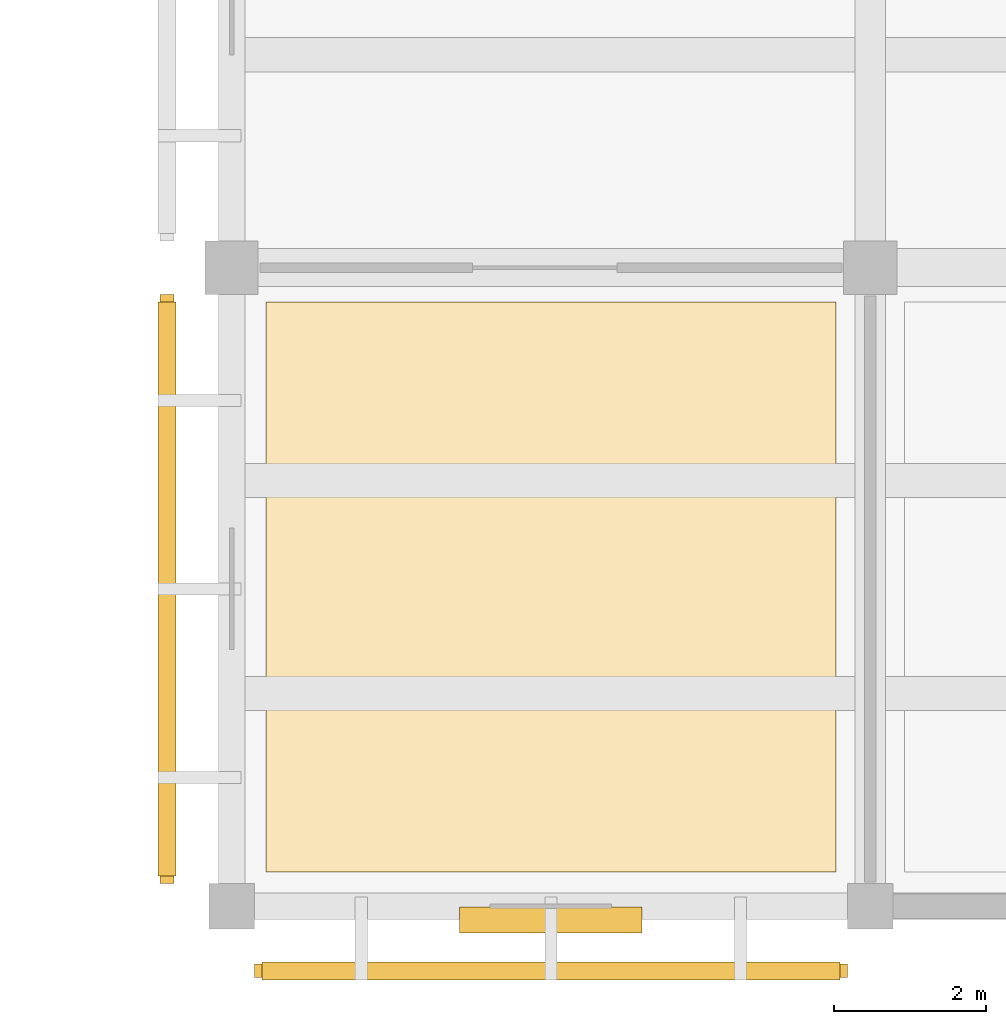
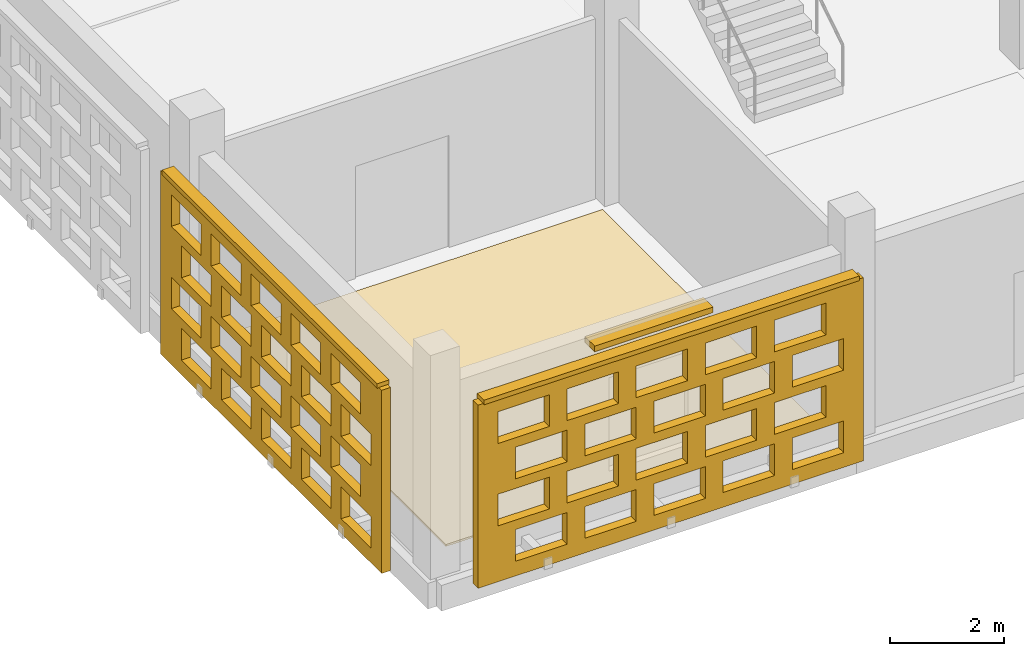
# One storey, part 80 of 129: 3 coverings, 3 shading devices, 40 openings.
"""IFC4 building model written with IfcOpenShell, lengths in metres."""

from ifc_helpers import new_model, si_unit, direction, frame, frame_2d, origin, origin_2d, place, context, subcontext, project, spatial, rectangle, extrude, material, layer, layer_set, type_object, element, save


model = new_model("IFC4")

# Units and contexts
model_context = context("Model", 3, precision=1e-05, world=origin(), true_north=direction((0.0, 1.0)))
body_context = subcontext(model_context, "Body", "Model", "MODEL_VIEW")
ifc_project = project(units=[si_unit("LENGTHUNIT", "METRE"), si_unit("AREAUNIT", "SQUARE_METRE"), si_unit("VOLUMEUNIT", "CUBIC_METRE"), si_unit("PLANEANGLEUNIT", "RADIAN"), si_unit("MASSUNIT", "GRAM", prefix="KILO")], contexts=[model_context])

# Site, building, storey
site_placement = place(None, origin())
site = spatial("IfcSite", under=ifc_project, at=site_placement, CompositionType="ELEMENT")
building_placement = place(site_placement, origin())
building = spatial("IfcBuilding", under=site, at=building_placement, Name="Varnapada Polytechnic", CompositionType="ELEMENT")
storey_placement = place(building_placement, origin())
storey = spatial("IfcBuildingStorey", under=building, at=storey_placement, Name="L00", CompositionType="ELEMENT", Elevation=0.0)

# Covering
ifc_material_1 = material(Name="Acoustic Rubber Seminar Flooring")
ifc_layer_1 = layer(ifc_material_1, 0.0400390625)
ifc_layer_set_1 = layer_set([ifc_layer_1], Name="Acoustic Rubber Seminar Flooring")
covering_type_1 = type_object("IfcCoveringType", Name="Floor Finish FLR-06", PredefinedType="FLOORING", material=ifc_layer_set_1)
covering_1_placement = place(storey_placement, frame((12.60009765625, 4.199951171875, 0.0), z_axis=(0.0, 0.0, 1.0), x_axis=(1.0, 0.0, 0.0)))
element("IfcCovering", 1, at=covering_1_placement, inside=storey, type_object=covering_type_1, Name="L00 floor finish panel (2,1)", PredefinedType="FLOORING", context=body_context, shape_type="SweptSolid", body=[
    extrude(rectangle(XDim=7.5, YDim=7.5, at=origin_2d()), origin(), (0.0, 0.0, 1.0), 0.0400390625),
])

# Shading device
ifc_material_2 = material(Name="Anodised aluminium", Category="aluminium")
ifc_layer_2 = layer(ifc_material_2, 0.35009765625)
ifc_layer_set_2 = layer_set([ifc_layer_2], Name="Anodised aluminium")
shading_device_type_1 = type_object("IfcShadingDeviceType", Name="Solar Louvre LVR-01", PredefinedType="JALOUSIE", material=ifc_layer_set_2)
shading_device_1_placement = place(storey_placement, frame((12.60009765625, -0.179931640625, 3.760009765625), z_axis=(0.0, 0.0, 1.0), x_axis=(-1.0, 0.0, 0.0)))
element("IfcShadingDevice", 2, at=shading_device_1_placement, inside=storey, type_object=shading_device_type_1, Name="L00 aluminium sun louvre 13", PredefinedType="JALOUSIE", context=body_context, shape_type="SweptSolid", body=[
    extrude(rectangle(XDim=2.39990234375, YDim=0.340087890625, at=origin_2d()), origin(), (0.0, 0.0, 1.0), 0.1201171875),
])

# Covering, openings
ifc_material_3 = material(Name="Earth-toned architectural terracotta screen block", Category="masonry")
ifc_layer_3 = layer(ifc_material_3, 0.1201171875)
ifc_layer_set_3 = layer_set([ifc_layer_3], Name="Earth-toned architectural terracotta screen block")
covering_type_2 = type_object("IfcCoveringType", Name="Terracotta Screen Cladding CLD-01", PredefinedType="CLADDING", material=ifc_layer_set_3)
covering_2_placement = place(storey_placement, frame((16.5, -0.85009765625, 0.0), z_axis=(0.0, 0.0, 1.0), x_axis=(-1.0, 0.0, 0.0)))
covering_2 = element("IfcCovering", 3, at=covering_2_placement, inside=storey, type_object=covering_type_2, Name="L00 perforated terracotta block screen (13)", PredefinedType="CLADDING", context=body_context, shape_type="SweptSolid", body=[
    extrude(rectangle(XDim=7.800048828125, YDim=0.179931640625, at=frame_2d((3.89990234375, 0.0))), origin(), (0.0, 0.0, 1.0), 3.919921875),
])
opening_1_placement = place(covering_2_placement, frame((0.39990234375, 0.0, 0.313720703125)))
element("IfcOpeningElement", 4, at=opening_1_placement, cuts=covering_2, Name="Screen perforation TBS-L00-012.1", PredefinedType="OPENING", context=body_context, shape_type="SweptSolid", body=[
    extrude(rectangle(XDim=1.0400390625, YDim=0.679931640625, at=frame_2d((0.52001953125, 0.33984375))), frame((0.0, 0.099853515625, 0.0), z_axis=(0.0, -1.0, 0.0), x_axis=(1.0, 0.0, 0.0)), (0.0, 0.0, 1.0), 0.199951171875),
])
opening_2_placement = place(covering_2_placement, frame((1.800048828125, 0.0, 0.313720703125)))
element("IfcOpeningElement", 5, at=opening_2_placement, cuts=covering_2, Name="Screen perforation TBS-L00-012.2", PredefinedType="OPENING", context=body_context, shape_type="SweptSolid", body=[
    extrude(rectangle(XDim=1.0400390625, YDim=0.679931640625, at=frame_2d((0.52001953125, 0.33984375))), frame((0.0, 0.099853515625, 0.0), z_axis=(0.0, -1.0, 0.0), x_axis=(1.0, 0.0, 0.0)), (0.0, 0.0, 1.0), 0.199951171875),
])
opening_3_placement = place(covering_2_placement, frame((3.199951171875, 0.0, 0.313720703125)))
element("IfcOpeningElement", 6, at=opening_3_placement, cuts=covering_2, Name="Screen perforation TBS-L00-012.3", PredefinedType="OPENING", context=body_context, shape_type="SweptSolid", body=[
    extrude(rectangle(XDim=1.0400390625, YDim=0.679931640625, at=frame_2d((0.52001953125, 0.33984375))), frame((0.0, 0.099853515625, 0.0), z_axis=(0.0, -1.0, 0.0), x_axis=(1.0, 0.0, 0.0)), (0.0, 0.0, 1.0), 0.199951171875),
])
opening_4_placement = place(covering_2_placement, frame((4.60009765625, 0.0, 0.313720703125)))
element("IfcOpeningElement", 7, at=opening_4_placement, cuts=covering_2, Name="Screen perforation TBS-L00-012.4", PredefinedType="OPENING", context=body_context, shape_type="SweptSolid", body=[
    extrude(rectangle(XDim=1.0400390625, YDim=0.679931640625, at=frame_2d((0.52001953125, 0.33984375))), frame((0.0, 0.099853515625, 0.0), z_axis=(0.0, -1.0, 0.0), x_axis=(1.0, 0.0, 0.0)), (0.0, 0.0, 1.0), 0.199951171875),
])
opening_5_placement = place(covering_2_placement, frame((6.0, 0.0, 0.313720703125)))
element("IfcOpeningElement", 8, at=opening_5_placement, cuts=covering_2, Name="Screen perforation TBS-L00-012.5", PredefinedType="OPENING", context=body_context, shape_type="SweptSolid", body=[
    extrude(rectangle(XDim=1.0400390625, YDim=0.679931640625, at=frame_2d((0.52001953125, 0.33984375))), frame((0.0, 0.099853515625, 0.0), z_axis=(0.0, -1.0, 0.0), x_axis=(1.0, 0.0, 0.0)), (0.0, 0.0, 1.0), 0.199951171875),
])
opening_6_placement = place(covering_2_placement, frame((0.760009765625, 0.0, 1.195556640625)))
element("IfcOpeningElement", 9, at=opening_6_placement, cuts=covering_2, Name="Screen perforation TBS-L00-012.6", PredefinedType="OPENING", context=body_context, shape_type="SweptSolid", body=[
    extrude(rectangle(XDim=1.0400390625, YDim=0.679931640625, at=frame_2d((0.52001953125, 0.33984375))), frame((0.0, 0.099853515625, 0.0), z_axis=(0.0, -1.0, 0.0), x_axis=(1.0, 0.0, 0.0)), (0.0, 0.0, 1.0), 0.199951171875),
])
opening_7_placement = place(covering_2_placement, frame((2.159912109375, 0.0, 1.195556640625)))
element("IfcOpeningElement", 10, at=opening_7_placement, cuts=covering_2, Name="Screen perforation TBS-L00-012.7", PredefinedType="OPENING", context=body_context, shape_type="SweptSolid", body=[
    extrude(rectangle(XDim=1.0400390625, YDim=0.679931640625, at=frame_2d((0.52001953125, 0.33984375))), frame((0.0, 0.099853515625, 0.0), z_axis=(0.0, -1.0, 0.0), x_axis=(1.0, 0.0, 0.0)), (0.0, 0.0, 1.0), 0.199951171875),
])
opening_8_placement = place(covering_2_placement, frame((3.56005859375, 0.0, 1.195556640625)))
element("IfcOpeningElement", 11, at=opening_8_placement, cuts=covering_2, Name="Screen perforation TBS-L00-012.8", PredefinedType="OPENING", context=body_context, shape_type="SweptSolid", body=[
    extrude(rectangle(XDim=1.0400390625, YDim=0.679931640625, at=frame_2d((0.52001953125, 0.33984375))), frame((0.0, 0.099853515625, 0.0), z_axis=(0.0, -1.0, 0.0), x_axis=(1.0, 0.0, 0.0)), (0.0, 0.0, 1.0), 0.199951171875),
])
opening_9_placement = place(covering_2_placement, frame((4.9599609375, 0.0, 1.195556640625)))
element("IfcOpeningElement", 12, at=opening_9_placement, cuts=covering_2, Name="Screen perforation TBS-L00-012.9", PredefinedType="OPENING", context=body_context, shape_type="SweptSolid", body=[
    extrude(rectangle(XDim=1.0400390625, YDim=0.679931640625, at=frame_2d((0.52001953125, 0.33984375))), frame((0.0, 0.099853515625, 0.0), z_axis=(0.0, -1.0, 0.0), x_axis=(1.0, 0.0, 0.0)), (0.0, 0.0, 1.0), 0.199951171875),
])
opening_10_placement = place(covering_2_placement, frame((6.360107421875, 0.0, 1.195556640625)))
element("IfcOpeningElement", 13, at=opening_10_placement, cuts=covering_2, Name="Screen perforation TBS-L00-012.10", PredefinedType="OPENING", context=body_context, shape_type="SweptSolid", body=[
    extrude(rectangle(XDim=1.0400390625, YDim=0.679931640625, at=frame_2d((0.52001953125, 0.33984375))), frame((0.0, 0.099853515625, 0.0), z_axis=(0.0, -1.0, 0.0), x_axis=(1.0, 0.0, 0.0)), (0.0, 0.0, 1.0), 0.199951171875),
])
opening_11_placement = place(covering_2_placement, frame((0.39990234375, 0.0, 2.07763671875)))
element("IfcOpeningElement", 14, at=opening_11_placement, cuts=covering_2, Name="Screen perforation TBS-L00-012.11", PredefinedType="OPENING", context=body_context, shape_type="SweptSolid", body=[
    extrude(rectangle(XDim=1.0400390625, YDim=0.679931640625, at=frame_2d((0.52001953125, 0.33984375))), frame((0.0, 0.099853515625, 0.0), z_axis=(0.0, -1.0, 0.0), x_axis=(1.0, 0.0, 0.0)), (0.0, 0.0, 1.0), 0.199951171875),
])
opening_12_placement = place(covering_2_placement, frame((1.800048828125, 0.0, 2.07763671875)))
element("IfcOpeningElement", 15, at=opening_12_placement, cuts=covering_2, Name="Screen perforation TBS-L00-012.12", PredefinedType="OPENING", context=body_context, shape_type="SweptSolid", body=[
    extrude(rectangle(XDim=1.0400390625, YDim=0.679931640625, at=frame_2d((0.52001953125, 0.33984375))), frame((0.0, 0.099853515625, 0.0), z_axis=(0.0, -1.0, 0.0), x_axis=(1.0, 0.0, 0.0)), (0.0, 0.0, 1.0), 0.199951171875),
])
opening_13_placement = place(covering_2_placement, frame((3.199951171875, 0.0, 2.07763671875)))
element("IfcOpeningElement", 16, at=opening_13_placement, cuts=covering_2, Name="Screen perforation TBS-L00-012.13", PredefinedType="OPENING", context=body_context, shape_type="SweptSolid", body=[
    extrude(rectangle(XDim=1.0400390625, YDim=0.679931640625, at=frame_2d((0.52001953125, 0.33984375))), frame((0.0, 0.099853515625, 0.0), z_axis=(0.0, -1.0, 0.0), x_axis=(1.0, 0.0, 0.0)), (0.0, 0.0, 1.0), 0.199951171875),
])
opening_14_placement = place(covering_2_placement, frame((4.60009765625, 0.0, 2.07763671875)))
element("IfcOpeningElement", 17, at=opening_14_placement, cuts=covering_2, Name="Screen perforation TBS-L00-012.14", PredefinedType="OPENING", context=body_context, shape_type="SweptSolid", body=[
    extrude(rectangle(XDim=1.0400390625, YDim=0.679931640625, at=frame_2d((0.52001953125, 0.33984375))), frame((0.0, 0.099853515625, 0.0), z_axis=(0.0, -1.0, 0.0), x_axis=(1.0, 0.0, 0.0)), (0.0, 0.0, 1.0), 0.199951171875),
])
opening_15_placement = place(covering_2_placement, frame((6.0, 0.0, 2.07763671875)))
element("IfcOpeningElement", 18, at=opening_15_placement, cuts=covering_2, Name="Screen perforation TBS-L00-012.15", PredefinedType="OPENING", context=body_context, shape_type="SweptSolid", body=[
    extrude(rectangle(XDim=1.0400390625, YDim=0.679931640625, at=frame_2d((0.52001953125, 0.33984375))), frame((0.0, 0.099853515625, 0.0), z_axis=(0.0, -1.0, 0.0), x_axis=(1.0, 0.0, 0.0)), (0.0, 0.0, 1.0), 0.199951171875),
])
opening_16_placement = place(covering_2_placement, frame((0.760009765625, 0.0, 2.959716796875)))
element("IfcOpeningElement", 19, at=opening_16_placement, cuts=covering_2, Name="Screen perforation TBS-L00-012.16", PredefinedType="OPENING", context=body_context, shape_type="SweptSolid", body=[
    extrude(rectangle(XDim=1.0400390625, YDim=0.679931640625, at=frame_2d((0.52001953125, 0.33984375))), frame((0.0, 0.099853515625, 0.0), z_axis=(0.0, -1.0, 0.0), x_axis=(1.0, 0.0, 0.0)), (0.0, 0.0, 1.0), 0.199951171875),
])
opening_17_placement = place(covering_2_placement, frame((2.159912109375, 0.0, 2.959716796875)))
element("IfcOpeningElement", 20, at=opening_17_placement, cuts=covering_2, Name="Screen perforation TBS-L00-012.17", PredefinedType="OPENING", context=body_context, shape_type="SweptSolid", body=[
    extrude(rectangle(XDim=1.0400390625, YDim=0.679931640625, at=frame_2d((0.52001953125, 0.33984375))), frame((0.0, 0.099853515625, 0.0), z_axis=(0.0, -1.0, 0.0), x_axis=(1.0, 0.0, 0.0)), (0.0, 0.0, 1.0), 0.199951171875),
])
opening_18_placement = place(covering_2_placement, frame((3.56005859375, 0.0, 2.959716796875)))
element("IfcOpeningElement", 21, at=opening_18_placement, cuts=covering_2, Name="Screen perforation TBS-L00-012.18", PredefinedType="OPENING", context=body_context, shape_type="SweptSolid", body=[
    extrude(rectangle(XDim=1.0400390625, YDim=0.679931640625, at=frame_2d((0.52001953125, 0.33984375))), frame((0.0, 0.099853515625, 0.0), z_axis=(0.0, -1.0, 0.0), x_axis=(1.0, 0.0, 0.0)), (0.0, 0.0, 1.0), 0.199951171875),
])
opening_19_placement = place(covering_2_placement, frame((4.9599609375, 0.0, 2.959716796875)))
element("IfcOpeningElement", 22, at=opening_19_placement, cuts=covering_2, Name="Screen perforation TBS-L00-012.19", PredefinedType="OPENING", context=body_context, shape_type="SweptSolid", body=[
    extrude(rectangle(XDim=1.0400390625, YDim=0.679931640625, at=frame_2d((0.52001953125, 0.33984375))), frame((0.0, 0.099853515625, 0.0), z_axis=(0.0, -1.0, 0.0), x_axis=(1.0, 0.0, 0.0)), (0.0, 0.0, 1.0), 0.199951171875),
])
opening_20_placement = place(covering_2_placement, frame((6.360107421875, 0.0, 2.959716796875)))
element("IfcOpeningElement", 23, at=opening_20_placement, cuts=covering_2, Name="Screen perforation TBS-L00-012.20", PredefinedType="OPENING", context=body_context, shape_type="SweptSolid", body=[
    extrude(rectangle(XDim=1.0400390625, YDim=0.679931640625, at=frame_2d((0.52001953125, 0.33984375))), frame((0.0, 0.099853515625, 0.0), z_axis=(0.0, -1.0, 0.0), x_axis=(1.0, 0.0, 0.0)), (0.0, 0.0, 1.0), 0.199951171875),
])

covering_3_placement = place(storey_placement, frame((7.550048828125, 0.300048828125, 0.0), z_axis=(0.0, 0.0, 1.0), x_axis=(0.0, 1.0, 0.0)))
covering_3 = element("IfcCovering", 24, at=covering_3_placement, inside=storey, type_object=covering_type_2, Name="L00 perforated terracotta block screen (14)", PredefinedType="CLADDING", context=body_context, shape_type="SweptSolid", body=[
    extrude(rectangle(XDim=7.75, YDim=0.179931640625, at=frame_2d((3.875, 0.0))), origin(), (0.0, 0.0, 1.0), 3.919921875),
])
opening_21_placement = place(covering_3_placement, frame((0.375, 0.0, 0.313720703125)))
element("IfcOpeningElement", 25, at=opening_21_placement, cuts=covering_3, Name="Screen perforation TBS-L00-013.1", PredefinedType="OPENING", context=body_context, shape_type="SweptSolid", body=[
    extrude(rectangle(XDim=1.0400390625, YDim=0.679931640625, at=frame_2d((0.52001953125, 0.33984375))), frame((0.0, 0.099853515625, 0.0), z_axis=(0.0, -1.0, 0.0), x_axis=(1.0, 0.0, 0.0)), (0.0, 0.0, 1.0), 0.199951171875),
])
opening_22_placement = place(covering_3_placement, frame((1.77490234375, 0.0, 0.313720703125)))
element("IfcOpeningElement", 26, at=opening_22_placement, cuts=covering_3, Name="Screen perforation TBS-L00-013.2", PredefinedType="OPENING", context=body_context, shape_type="SweptSolid", body=[
    extrude(rectangle(XDim=1.0400390625, YDim=0.679931640625, at=frame_2d((0.52001953125, 0.33984375))), frame((0.0, 0.099853515625, 0.0), z_axis=(0.0, -1.0, 0.0), x_axis=(1.0, 0.0, 0.0)), (0.0, 0.0, 1.0), 0.199951171875),
])
opening_23_placement = place(covering_3_placement, frame((3.175048828125, 0.0, 0.313720703125)))
element("IfcOpeningElement", 27, at=opening_23_placement, cuts=covering_3, Name="Screen perforation TBS-L00-013.3", PredefinedType="OPENING", context=body_context, shape_type="SweptSolid", body=[
    extrude(rectangle(XDim=1.0400390625, YDim=0.679931640625, at=frame_2d((0.52001953125, 0.33984375))), frame((0.0, 0.099853515625, 0.0), z_axis=(0.0, -1.0, 0.0), x_axis=(1.0, 0.0, 0.0)), (0.0, 0.0, 1.0), 0.199951171875),
])
opening_24_placement = place(covering_3_placement, frame((4.574951171875, 0.0, 0.313720703125)))
element("IfcOpeningElement", 28, at=opening_24_placement, cuts=covering_3, Name="Screen perforation TBS-L00-013.4", PredefinedType="OPENING", context=body_context, shape_type="SweptSolid", body=[
    extrude(rectangle(XDim=1.0400390625, YDim=0.679931640625, at=frame_2d((0.52001953125, 0.33984375))), frame((0.0, 0.099853515625, 0.0), z_axis=(0.0, -1.0, 0.0), x_axis=(1.0, 0.0, 0.0)), (0.0, 0.0, 1.0), 0.199951171875),
])
opening_25_placement = place(covering_3_placement, frame((5.97509765625, 0.0, 0.313720703125)))
element("IfcOpeningElement", 29, at=opening_25_placement, cuts=covering_3, Name="Screen perforation TBS-L00-013.5", PredefinedType="OPENING", context=body_context, shape_type="SweptSolid", body=[
    extrude(rectangle(XDim=1.0400390625, YDim=0.679931640625, at=frame_2d((0.52001953125, 0.33984375))), frame((0.0, 0.099853515625, 0.0), z_axis=(0.0, -1.0, 0.0), x_axis=(1.0, 0.0, 0.0)), (0.0, 0.0, 1.0), 0.199951171875),
])
opening_26_placement = place(covering_3_placement, frame((0.735107421875, 0.0, 1.195556640625)))
element("IfcOpeningElement", 30, at=opening_26_placement, cuts=covering_3, Name="Screen perforation TBS-L00-013.6", PredefinedType="OPENING", context=body_context, shape_type="SweptSolid", body=[
    extrude(rectangle(XDim=1.0400390625, YDim=0.679931640625, at=frame_2d((0.52001953125, 0.33984375))), frame((0.0, 0.099853515625, 0.0), z_axis=(0.0, -1.0, 0.0), x_axis=(1.0, 0.0, 0.0)), (0.0, 0.0, 1.0), 0.199951171875),
])
opening_27_placement = place(covering_3_placement, frame((2.135009765625, 0.0, 1.195556640625)))
element("IfcOpeningElement", 31, at=opening_27_placement, cuts=covering_3, Name="Screen perforation TBS-L00-013.7", PredefinedType="OPENING", context=body_context, shape_type="SweptSolid", body=[
    extrude(rectangle(XDim=1.0400390625, YDim=0.679931640625, at=frame_2d((0.52001953125, 0.33984375))), frame((0.0, 0.099853515625, 0.0), z_axis=(0.0, -1.0, 0.0), x_axis=(1.0, 0.0, 0.0)), (0.0, 0.0, 1.0), 0.199951171875),
])
opening_28_placement = place(covering_3_placement, frame((3.534912109375, 0.0, 1.195556640625)))
element("IfcOpeningElement", 32, at=opening_28_placement, cuts=covering_3, Name="Screen perforation TBS-L00-013.8", PredefinedType="OPENING", context=body_context, shape_type="SweptSolid", body=[
    extrude(rectangle(XDim=1.0400390625, YDim=0.679931640625, at=frame_2d((0.52001953125, 0.33984375))), frame((0.0, 0.099853515625, 0.0), z_axis=(0.0, -1.0, 0.0), x_axis=(1.0, 0.0, 0.0)), (0.0, 0.0, 1.0), 0.199951171875),
])
opening_29_placement = place(covering_3_placement, frame((4.93505859375, 0.0, 1.195556640625)))
element("IfcOpeningElement", 33, at=opening_29_placement, cuts=covering_3, Name="Screen perforation TBS-L00-013.9", PredefinedType="OPENING", context=body_context, shape_type="SweptSolid", body=[
    extrude(rectangle(XDim=1.0400390625, YDim=0.679931640625, at=frame_2d((0.52001953125, 0.33984375))), frame((0.0, 0.099853515625, 0.0), z_axis=(0.0, -1.0, 0.0), x_axis=(1.0, 0.0, 0.0)), (0.0, 0.0, 1.0), 0.199951171875),
])
opening_30_placement = place(covering_3_placement, frame((6.3349609375, 0.0, 1.195556640625)))
element("IfcOpeningElement", 34, at=opening_30_placement, cuts=covering_3, Name="Screen perforation TBS-L00-013.10", PredefinedType="OPENING", context=body_context, shape_type="SweptSolid", body=[
    extrude(rectangle(XDim=1.0400390625, YDim=0.679931640625, at=frame_2d((0.52001953125, 0.33984375))), frame((0.0, 0.099853515625, 0.0), z_axis=(0.0, -1.0, 0.0), x_axis=(1.0, 0.0, 0.0)), (0.0, 0.0, 1.0), 0.199951171875),
])
opening_31_placement = place(covering_3_placement, frame((0.375, 0.0, 2.07763671875)))
element("IfcOpeningElement", 35, at=opening_31_placement, cuts=covering_3, Name="Screen perforation TBS-L00-013.11", PredefinedType="OPENING", context=body_context, shape_type="SweptSolid", body=[
    extrude(rectangle(XDim=1.0400390625, YDim=0.679931640625, at=frame_2d((0.52001953125, 0.33984375))), frame((0.0, 0.099853515625, 0.0), z_axis=(0.0, -1.0, 0.0), x_axis=(1.0, 0.0, 0.0)), (0.0, 0.0, 1.0), 0.199951171875),
])
opening_32_placement = place(covering_3_placement, frame((1.77490234375, 0.0, 2.07763671875)))
element("IfcOpeningElement", 36, at=opening_32_placement, cuts=covering_3, Name="Screen perforation TBS-L00-013.12", PredefinedType="OPENING", context=body_context, shape_type="SweptSolid", body=[
    extrude(rectangle(XDim=1.0400390625, YDim=0.679931640625, at=frame_2d((0.52001953125, 0.33984375))), frame((0.0, 0.099853515625, 0.0), z_axis=(0.0, -1.0, 0.0), x_axis=(1.0, 0.0, 0.0)), (0.0, 0.0, 1.0), 0.199951171875),
])
opening_33_placement = place(covering_3_placement, frame((3.175048828125, 0.0, 2.07763671875)))
element("IfcOpeningElement", 37, at=opening_33_placement, cuts=covering_3, Name="Screen perforation TBS-L00-013.13", PredefinedType="OPENING", context=body_context, shape_type="SweptSolid", body=[
    extrude(rectangle(XDim=1.0400390625, YDim=0.679931640625, at=frame_2d((0.52001953125, 0.33984375))), frame((0.0, 0.099853515625, 0.0), z_axis=(0.0, -1.0, 0.0), x_axis=(1.0, 0.0, 0.0)), (0.0, 0.0, 1.0), 0.199951171875),
])
opening_34_placement = place(covering_3_placement, frame((4.574951171875, 0.0, 2.07763671875)))
element("IfcOpeningElement", 38, at=opening_34_placement, cuts=covering_3, Name="Screen perforation TBS-L00-013.14", PredefinedType="OPENING", context=body_context, shape_type="SweptSolid", body=[
    extrude(rectangle(XDim=1.0400390625, YDim=0.679931640625, at=frame_2d((0.52001953125, 0.33984375))), frame((0.0, 0.099853515625, 0.0), z_axis=(0.0, -1.0, 0.0), x_axis=(1.0, 0.0, 0.0)), (0.0, 0.0, 1.0), 0.199951171875),
])
opening_35_placement = place(covering_3_placement, frame((5.97509765625, 0.0, 2.07763671875)))
element("IfcOpeningElement", 39, at=opening_35_placement, cuts=covering_3, Name="Screen perforation TBS-L00-013.15", PredefinedType="OPENING", context=body_context, shape_type="SweptSolid", body=[
    extrude(rectangle(XDim=1.0400390625, YDim=0.679931640625, at=frame_2d((0.52001953125, 0.33984375))), frame((0.0, 0.099853515625, 0.0), z_axis=(0.0, -1.0, 0.0), x_axis=(1.0, 0.0, 0.0)), (0.0, 0.0, 1.0), 0.199951171875),
])
opening_36_placement = place(covering_3_placement, frame((0.735107421875, 0.0, 2.959716796875)))
element("IfcOpeningElement", 40, at=opening_36_placement, cuts=covering_3, Name="Screen perforation TBS-L00-013.16", PredefinedType="OPENING", context=body_context, shape_type="SweptSolid", body=[
    extrude(rectangle(XDim=1.0400390625, YDim=0.679931640625, at=frame_2d((0.52001953125, 0.33984375))), frame((0.0, 0.099853515625, 0.0), z_axis=(0.0, -1.0, 0.0), x_axis=(1.0, 0.0, 0.0)), (0.0, 0.0, 1.0), 0.199951171875),
])
opening_37_placement = place(covering_3_placement, frame((2.135009765625, 0.0, 2.959716796875)))
element("IfcOpeningElement", 41, at=opening_37_placement, cuts=covering_3, Name="Screen perforation TBS-L00-013.17", PredefinedType="OPENING", context=body_context, shape_type="SweptSolid", body=[
    extrude(rectangle(XDim=1.0400390625, YDim=0.679931640625, at=frame_2d((0.52001953125, 0.33984375))), frame((0.0, 0.099853515625, 0.0), z_axis=(0.0, -1.0, 0.0), x_axis=(1.0, 0.0, 0.0)), (0.0, 0.0, 1.0), 0.199951171875),
])
opening_38_placement = place(covering_3_placement, frame((3.534912109375, 0.0, 2.959716796875)))
element("IfcOpeningElement", 42, at=opening_38_placement, cuts=covering_3, Name="Screen perforation TBS-L00-013.18", PredefinedType="OPENING", context=body_context, shape_type="SweptSolid", body=[
    extrude(rectangle(XDim=1.0400390625, YDim=0.679931640625, at=frame_2d((0.52001953125, 0.33984375))), frame((0.0, 0.099853515625, 0.0), z_axis=(0.0, -1.0, 0.0), x_axis=(1.0, 0.0, 0.0)), (0.0, 0.0, 1.0), 0.199951171875),
])
opening_39_placement = place(covering_3_placement, frame((4.93505859375, 0.0, 2.959716796875)))
element("IfcOpeningElement", 43, at=opening_39_placement, cuts=covering_3, Name="Screen perforation TBS-L00-013.19", PredefinedType="OPENING", context=body_context, shape_type="SweptSolid", body=[
    extrude(rectangle(XDim=1.0400390625, YDim=0.679931640625, at=frame_2d((0.52001953125, 0.33984375))), frame((0.0, 0.099853515625, 0.0), z_axis=(0.0, -1.0, 0.0), x_axis=(1.0, 0.0, 0.0)), (0.0, 0.0, 1.0), 0.199951171875),
])
opening_40_placement = place(covering_3_placement, frame((6.3349609375, 0.0, 2.959716796875)))
element("IfcOpeningElement", 44, at=opening_40_placement, cuts=covering_3, Name="Screen perforation TBS-L00-013.20", PredefinedType="OPENING", context=body_context, shape_type="SweptSolid", body=[
    extrude(rectangle(XDim=1.0400390625, YDim=0.679931640625, at=frame_2d((0.52001953125, 0.33984375))), frame((0.0, 0.099853515625, 0.0), z_axis=(0.0, -1.0, 0.0), x_axis=(1.0, 0.0, 0.0)), (0.0, 0.0, 1.0), 0.199951171875),
])

# Shading devices
ifc_layer_4 = layer(ifc_material_3, 0.179931640625)
ifc_layer_set_4 = layer_set([ifc_layer_4], Name="Earth-toned architectural terracotta screen block")
shading_device_type_2 = type_object("IfcShadingDeviceType", Name="Terracotta Screen SCR-02", PredefinedType="USERDEFINED", material=ifc_layer_set_4)
shading_device_2_placement = place(storey_placement, frame((12.60009765625, -0.85009765625, 3.909912109375), z_axis=(0.0, 0.0, 1.0), x_axis=(-1.0, 0.0, 0.0)))
element("IfcShadingDevice", 45, at=shading_device_2_placement, inside=storey, type_object=shading_device_type_2, Name="L00 perforated terracotta screen hood 9", ObjectType="SCREEN", PredefinedType="USERDEFINED", context=body_context, shape_type="SweptSolid", body=[
    extrude(rectangle(XDim=7.60009765625, YDim=0.239990234375, at=origin_2d()), origin(), (0.0, 0.0, 1.0), 0.10009765625),
])
shading_device_3_placement = place(storey_placement, frame((7.550048828125, 4.175048828125, 3.909912109375), z_axis=(0.0, 0.0, 1.0), x_axis=(0.0, 1.0, 0.0)))
element("IfcShadingDevice", 46, at=shading_device_3_placement, inside=storey, type_object=shading_device_type_2, Name="L00 perforated terracotta screen hood 10", ObjectType="SCREEN", PredefinedType="USERDEFINED", context=body_context, shape_type="SweptSolid", body=[
    extrude(rectangle(XDim=7.550048828125, YDim=0.239990234375, at=origin_2d()), origin(), (0.0, 0.0, 1.0), 0.10009765625),
])

save(model, "model.ifc")
